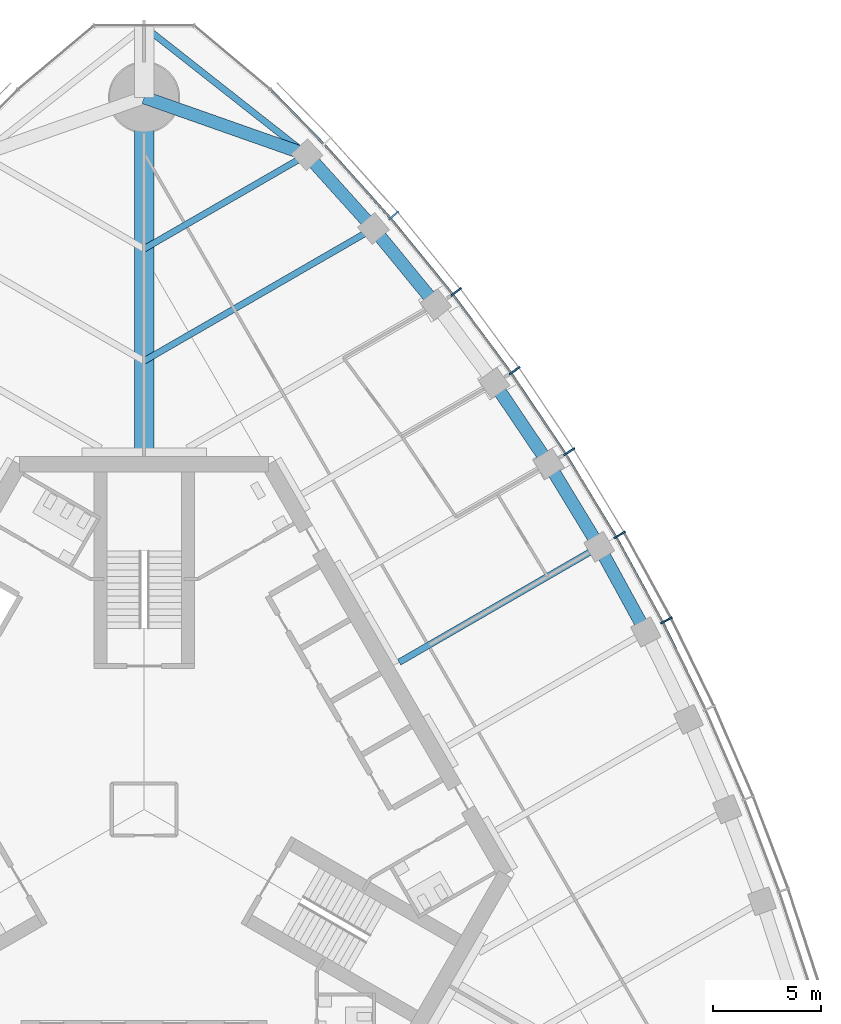
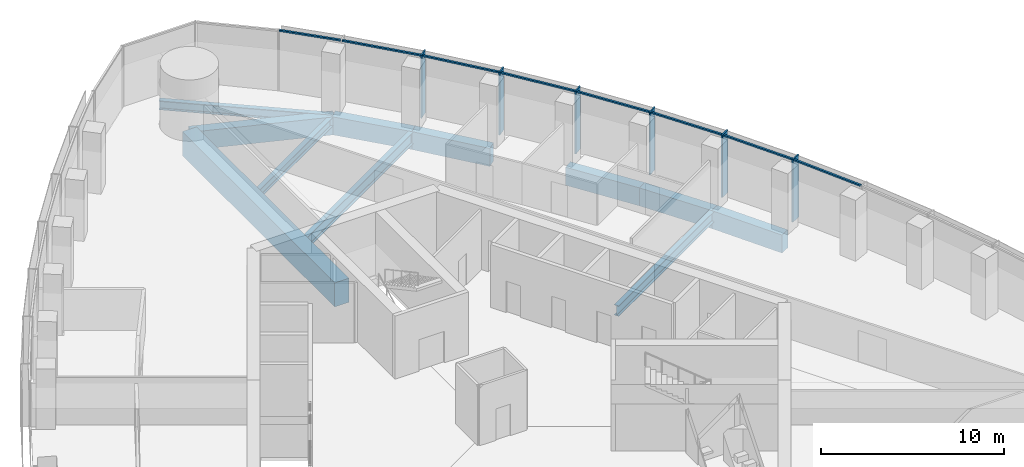
# One storey, part 7 of 19: 14 members, 11 beams, 1 element without a shape of its own.
"""IFC4 building model written with IfcOpenShell, lengths in metres."""

from ifc_helpers import new_model, si_unit, direction, frame, origin, origin_2d, place, context, subcontext, project, spatial, rectangle, i_section, extrude, material, material_profile, profile_set, type_object, element, aggregate, save


model = new_model("IFC4")

# Units and contexts
model_context = context("Model", 3, precision=1e-05, world=origin(), true_north=direction((0.0, 1.0)))
body_context = subcontext(model_context, "Body", "Model", "MODEL_VIEW")
ifc_project = project(units=[si_unit("LENGTHUNIT", "METRE"), si_unit("AREAUNIT", "SQUARE_METRE"), si_unit("VOLUMEUNIT", "CUBIC_METRE"), si_unit("PLANEANGLEUNIT", "RADIAN"), si_unit("MASSUNIT", "GRAM", prefix="KILO")], contexts=[model_context])

# Site, building, storey
site_placement = place(None, origin())
site = spatial("IfcSite", under=ifc_project, at=site_placement, CompositionType="ELEMENT")
building_placement = place(site_placement, origin())
building = spatial("IfcBuilding", under=site, at=building_placement, Name="Trefoil Bronze Tower", CompositionType="ELEMENT")
storey_placement = place(building_placement, frame((0.0, 0.0, 227.5)))
storey = spatial("IfcBuildingStorey", under=building, at=storey_placement, Name="L52", CompositionType="ELEMENT", Elevation=227.5)

# Curtain wall, members
ifc_material_1 = material(Name="Tinted solar-control glass", Category="glass")
curtain_wall_type = type_object("IfcCurtainWallType", Name="Bronze office curtain wall", PredefinedType="USERDEFINED", material=ifc_material_1)
curtain_wall_placement = place(storey_placement, origin())
curtain_wall = element("IfcCurtainWall", 1, at=curtain_wall_placement, inside=storey, type_object=curtain_wall_type, Name="CW-A L52 F2", ObjectType="CURTAIN WALL", PredefinedType="USERDEFINED")
ifc_material_2 = material(Name="Bronze-finish aluminium", Category="aluminium")
ifc_material_profile_1 = material_profile(ifc_material_2, rectangle(XDim=0.60009765625, YDim=0.080078125, at=origin_2d()), Name="CW-A mullion")
ifc_profile_set_1 = profile_set([ifc_material_profile_1], Name="Bronze-finish aluminium")
member_type_1 = type_object("IfcMemberType", Name="Bronze office curtain wall mullion", PredefinedType="MULLION", material=ifc_profile_set_1)
member_1_placement = place(storey_placement, frame((24.2080078125, 8.764404296875, 0.0), z_axis=(0.0, 0.0, 1.0), x_axis=(-0.888088206965, -0.459673075837, 0.0)))
member_1 = element("IfcMember", 2, at=member_1_placement, type_object=member_type_1, Name="CW-A L52 F2 mullion 6", PredefinedType="MULLION", context=body_context, shape_type="SweptSolid", body=[
    extrude(rectangle(XDim=0.60009765625, YDim=0.080078125, at=origin_2d()), origin(), (0.0, 0.0, 1.0), 4.179931640625),
])
member_2_placement = place(storey_placement, frame((22.041015625, 12.725341796875, 0.0), z_axis=(0.0, 0.0, 1.0), x_axis=(-0.866025403784, -0.5, 0.0)))
member_2 = element("IfcMember", 3, at=member_2_placement, type_object=member_type_1, Name="CW-A L52 F2 mullion 7", PredefinedType="MULLION", context=body_context, shape_type="SweptSolid", body=[
    extrude(rectangle(XDim=0.60009765625, YDim=0.080078125, at=origin_2d()), origin(), (0.0, 0.0, 1.0), 4.179931640625),
])
member_3_placement = place(storey_placement, frame((19.694091796875, 16.58251953125, 0.0), z_axis=(0.0, 0.0, 1.0), x_axis=(-0.842132664593, -0.539270410114, 0.0)))
member_3 = element("IfcMember", 4, at=member_3_placement, type_object=member_type_1, Name="CW-A L52 F2 mullion 8", PredefinedType="MULLION", context=body_context, shape_type="SweptSolid", body=[
    extrude(rectangle(XDim=0.60009765625, YDim=0.080078125, at=origin_2d()), origin(), (0.0, 0.0, 1.0), 4.179931640625),
])
member_4_placement = place(storey_placement, frame((17.167236328125, 20.335693359375, 0.0), z_axis=(0.0, 0.0, 1.0), x_axis=(-0.81640398396, -0.577481198806, 0.0)))
member_4 = element("IfcMember", 5, at=member_4_placement, type_object=member_type_1, Name="CW-A L52 F2 mullion 9", PredefinedType="MULLION", context=body_context, shape_type="SweptSolid", body=[
    extrude(rectangle(XDim=0.60009765625, YDim=0.080078125, at=origin_2d()), origin(), (0.0, 0.0, 1.0), 4.179931640625),
])
member_5_placement = place(storey_placement, frame((14.45849609375, 23.98388671875, 0.0), z_axis=(0.0, 0.0, 1.0), x_axis=(-0.788821461078, -0.614622406476, 0.0)))
member_5 = element("IfcMember", 6, at=member_5_placement, type_object=member_type_1, Name="CW-A L52 F2 mullion 10", PredefinedType="MULLION", context=body_context, shape_type="SweptSolid", body=[
    extrude(rectangle(XDim=0.60009765625, YDim=0.080078125, at=origin_2d()), origin(), (0.0, 0.0, 1.0), 4.179931640625),
])
member_6_placement = place(storey_placement, frame((11.564697265625, 27.525146484375, 0.0), z_axis=(0.0, 0.0, 1.0), x_axis=(-0.75935470958, -0.650676897576, 0.0)))
member_6 = element("IfcMember", 7, at=member_6_placement, type_object=member_type_1, Name="CW-A L52 F2 mullion 11", PredefinedType="MULLION", context=body_context, shape_type="SweptSolid", body=[
    extrude(rectangle(XDim=0.60009765625, YDim=0.080078125, at=origin_2d()), origin(), (0.0, 0.0, 1.0), 4.179931640625),
])
ifc_material_3 = material(Name="Bronze-finish aluminium", Category="aluminium")
ifc_material_profile_2 = material_profile(ifc_material_3, rectangle(XDim=0.1201171875, YDim=0.10009765625, at=origin_2d()), Name="CW-A transom")
ifc_profile_set_2 = profile_set([ifc_material_profile_2], Name="Bronze-finish aluminium")
member_type_2 = type_object("IfcMemberType", Name="Bronze office curtain wall transom", PredefinedType="USERDEFINED", material=ifc_profile_set_2)
member_7_placement = place(storey_placement, frame((25.99462890625, 4.65380859375, 4.1298828125), z_axis=(-0.439150835991, 0.898413347657, 0.0), x_axis=(-0.898413347657, -0.439150835991, 0.0)))
member_7 = element("IfcMember", 8, at=member_7_placement, type_object=member_type_2, Name="CW-A L52 F2 transom 5", ObjectType="TRANSOM", PredefinedType="USERDEFINED", context=body_context, shape_type="SweptSolid", body=[
    extrude(rectangle(XDim=0.1201171875, YDim=0.10009765625, at=origin_2d()), origin(), (0.0, 0.0, 1.0), 4.430908203125),
])
member_8_placement = place(storey_placement, frame((24.010009765625, 8.70947265625, 4.1298828125), z_axis=(-0.479973729071, 0.877282861683, 0.0), x_axis=(-0.877282861683, -0.479973729071, 0.0)))
member_8 = element("IfcMember", 9, at=member_8_placement, type_object=member_type_2, Name="CW-A L52 F2 transom 6", ObjectType="TRANSOM", PredefinedType="USERDEFINED", context=body_context, shape_type="SweptSolid", body=[
    extrude(rectangle(XDim=0.1201171875, YDim=0.10009765625, at=origin_2d()), origin(), (0.0, 0.0, 1.0), 4.421142578125),
])
member_9_placement = place(storey_placement, frame((21.845703125, 12.661376953125, 4.1298828125), z_axis=(-0.519740214649, 0.854324358354, 0.0), x_axis=(-0.854324358354, -0.519740214649, 0.0)))
member_9 = element("IfcMember", 10, at=member_9_placement, type_object=member_type_2, Name="CW-A L52 F2 transom 7", ObjectType="TRANSOM", PredefinedType="USERDEFINED", context=body_context, shape_type="SweptSolid", body=[
    extrude(rectangle(XDim=0.1201171875, YDim=0.10009765625, at=origin_2d()), origin(), (0.0, 0.0, 1.0), 4.421142578125),
])
member_10_placement = place(storey_placement, frame((19.502197265625, 16.509765625, 4.1298828125), z_axis=(-0.558509087547, 0.829498402125, 0.0), x_axis=(-0.829498402125, -0.558509087547, 0.0)))
member_10 = element("IfcMember", 11, at=member_10_placement, type_object=member_type_2, Name="CW-A L52 F2 transom 8", ObjectType="TRANSOM", PredefinedType="USERDEFINED", context=body_context, shape_type="SweptSolid", body=[
    extrude(rectangle(XDim=0.1201171875, YDim=0.10009765625, at=origin_2d()), origin(), (0.0, 0.0, 1.0), 4.4306640625),
])
member_11_placement = place(storey_placement, frame((16.978759765625, 20.254150390625, 4.1298828125), z_axis=(-0.59614822717, 0.802874393191, 0.0), x_axis=(-0.802874393191, -0.59614822717, 0.0)))
member_11 = element("IfcMember", 12, at=member_11_placement, type_object=member_type_2, Name="CW-A L52 F2 transom 9", ObjectType="TRANSOM", PredefinedType="USERDEFINED", context=body_context, shape_type="SweptSolid", body=[
    extrude(rectangle(XDim=0.1201171875, YDim=0.10009765625, at=origin_2d()), origin(), (0.0, 0.0, 1.0), 4.449951171875),
])
member_12_placement = place(storey_placement, frame((14.27392578125, 23.8935546875, 4.1298828125), z_axis=(-0.632756871921, 0.774350528531, 0.0), x_axis=(-0.774350528531, -0.632756871921, 0.0)))
member_12 = element("IfcMember", 13, at=member_12_placement, type_object=member_type_2, Name="CW-A L52 F2 transom 10", ObjectType="TRANSOM", PredefinedType="USERDEFINED", context=body_context, shape_type="SweptSolid", body=[
    extrude(rectangle(XDim=0.1201171875, YDim=0.10009765625, at=origin_2d()), origin(), (0.0, 0.0, 1.0), 4.4794921875),
])
member_13_placement = place(storey_placement, frame((11.384521484375, 27.426513671875, 4.1298828125), z_axis=(-0.66825109551, 0.743935799213, 0.0), x_axis=(-0.743935799213, -0.66825109551, 0.0)))
member_13 = element("IfcMember", 14, at=member_13_placement, type_object=member_type_2, Name="CW-A L52 F2 transom 11", ObjectType="TRANSOM", PredefinedType="USERDEFINED", context=body_context, shape_type="SweptSolid", body=[
    extrude(rectangle(XDim=0.1201171875, YDim=0.10009765625, at=origin_2d()), origin(), (0.0, 0.0, 1.0), 4.519287109375),
])
member_14_placement = place(storey_placement, frame((8.306884765625, 30.85009765625, 4.1298828125), z_axis=(-0.698646935368, 0.715466602785, 0.0), x_axis=(-0.715466602785, -0.698646935368, 0.0)))
member_14 = element("IfcMember", 15, at=member_14_placement, type_object=member_type_2, Name="CW-A L52 F2 transom 12", ObjectType="TRANSOM", PredefinedType="USERDEFINED", context=body_context, shape_type="SweptSolid", body=[
    extrude(rectangle(XDim=0.1201171875, YDim=0.10009765625, at=origin_2d()), origin(), (0.0, 0.0, 1.0), 3.483642578125),
])
aggregate(curtain_wall, [member_1, member_2, member_3, member_4, member_5, member_6, member_7, member_8, member_9, member_10, member_11, member_12, member_13, member_14])

# Beams
ifc_material_4 = material(Name="Steel C355", Category="steel")
ifc_material_profile_3 = material_profile(ifc_material_4, i_section(OverallWidth=0.300048828125, OverallDepth=0.60009765625, WebThickness=0.015380859375, FlangeThickness=0.030029296875, FilletRadius=0.027099609375, at=origin_2d()), Name="HEB 600")
ifc_profile_set_3 = profile_set([ifc_material_profile_3], Name="Steel C355")
beam_type_1 = type_object("IfcBeamType", Name="Corner edge beam HEB 600", PredefinedType="BEAM", material=ifc_profile_set_3)
beam_1_placement = place(storey_placement, frame((7.552001953125, 30.3408203125, -0.5), z_axis=(-0.785805912008, 0.618473175371, 0.0), x_axis=(-0.618473175371, -0.785805912008, 0.0)))
element("IfcBeam", 16, at=beam_1_placement, inside=storey, type_object=beam_type_1, Name="Corner edge beam F2A L52", PredefinedType="BEAM", context=body_context, shape_type="SweptSolid", body=[
    extrude(i_section(OverallWidth=0.300048828125, OverallDepth=0.60009765625, WebThickness=0.015380859375, FlangeThickness=0.030029296875, FilletRadius=0.027099609375, at=origin_2d()), origin(), (0.0, 0.0, 1.0), 9.610595703125),
])
ifc_material_5 = material(Name="Concrete B80", Category="concrete")
ifc_material_profile_4 = material_profile(ifc_material_5, rectangle(XDim=0.89990234375, YDim=1.60009765625, at=origin_2d()), Name="RC 900x1600")
ifc_profile_set_4 = profile_set([ifc_material_profile_4], Name="Concrete B80")
beam_type_2 = type_object("IfcBeamType", Name="Corner girder RC 900x1600", PredefinedType="BEAM", material=ifc_profile_set_4)
beam_2_placement = place(storey_placement, frame((0.0, 16.35009765625, -1.0), z_axis=(0.0, 1.0, 0.0), x_axis=(-1.0, 0.0, 0.0)))
element("IfcBeam", 17, at=beam_2_placement, inside=storey, type_object=beam_type_2, Name="Corner girder K2 L52", PredefinedType="BEAM", context=body_context, shape_type="SweptSolid", body=[
    extrude(rectangle(XDim=0.89990234375, YDim=1.60009765625, at=origin_2d()), origin(), (0.0, 0.0, 1.0), 16.64990234375),
])
ifc_material_6 = material(Name="Concrete B80", Category="concrete")
ifc_material_profile_5 = material_profile(ifc_material_6, rectangle(XDim=0.60009765625, YDim=1.199951171875, at=origin_2d()), Name="RC 600x1200")
ifc_profile_set_5 = profile_set([ifc_material_profile_5], Name="Concrete B80")
beam_type_3 = type_object("IfcBeamType", Name="End spandrel beam RC 600x1200", PredefinedType="SPANDREL", material=ifc_profile_set_5)
beam_3_placement = place(storey_placement, frame((7.552001953125, 30.3408203125, -0.800048828125), z_axis=(-0.943234397359, 0.332127794137, 0.0), x_axis=(-0.332127794137, -0.943234397359, 0.0)))
element("IfcBeam", 18, at=beam_3_placement, inside=storey, type_object=beam_type_3, Name="Spandrel F2.12 L52", PredefinedType="SPANDREL", context=body_context, shape_type="SweptSolid", body=[
    extrude(rectangle(XDim=0.60009765625, YDim=1.199951171875, at=origin_2d()), origin(), (0.0, 0.0, 1.0), 8.006591796875),
])
ifc_material_7 = material(Name="Steel C355", Category="steel")
ifc_material_profile_6 = material_profile(ifc_material_7, i_section(OverallWidth=0.300048828125, OverallDepth=0.590087890625, WebThickness=0.012939453125, FlangeThickness=0.02490234375, FilletRadius=0.027099609375, at=origin_2d()), Name="HEA 600")
ifc_profile_set_6 = profile_set([ifc_material_profile_6], Name="Steel C355")
beam_type_4 = type_object("IfcBeamType", Name="Floor beam HEA 600", PredefinedType="BEAM", material=ifc_profile_set_6)
beam_4_placement = place(storey_placement, frame((7.552001953125, 30.3408203125, -0.4951171875), z_axis=(-0.866027535932, -0.499996306993, 0.0), x_axis=(0.499996306993, -0.866027535932, 0.0)))
element("IfcBeam", 19, at=beam_4_placement, inside=storey, type_object=beam_type_4, Name="Floor beam F2/+5 L52", PredefinedType="BEAM", context=body_context, shape_type="SweptSolid", body=[
    extrude(i_section(OverallWidth=0.300048828125, OverallDepth=0.590087890625, WebThickness=0.012939453125, FlangeThickness=0.02490234375, FilletRadius=0.027099609375, at=origin_2d()), origin(), (0.0, 0.0, 1.0), 8.72021484375),
])
ifc_material_8 = material(Name="Steel C355", Category="steel")
ifc_material_profile_7 = material_profile(ifc_material_8, i_section(OverallWidth=0.300048828125, OverallDepth=0.699951171875, WebThickness=0.01708984375, FlangeThickness=0.031982421875, FilletRadius=0.027099609375, at=origin_2d()), Name="HEB 700")
ifc_profile_set_7 = profile_set([ifc_material_profile_7], Name="Steel C355")
beam_type_5 = type_object("IfcBeamType", Name="Floor beam HEB 700", PredefinedType="BEAM", material=ifc_profile_set_7)
beam_5_placement = place(storey_placement, frame((21.08837890625, 12.17529296875, -0.550048828125), z_axis=(-0.86602601154, -0.499998947334, 0.0), x_axis=(0.499998947334, -0.86602601154, 0.0)))
element("IfcBeam", 20, at=beam_5_placement, inside=storey, type_object=beam_type_5, Name="Floor beam F2/+0 L52", PredefinedType="BEAM", context=body_context, shape_type="SweptSolid", body=[
    extrude(i_section(OverallWidth=0.300048828125, OverallDepth=0.699951171875, WebThickness=0.01708984375, FlangeThickness=0.031982421875, FilletRadius=0.027099609375, at=origin_2d()), origin(), (0.0, 0.0, 1.0), 10.70068359375),
])
ifc_material_9 = material(Name="Steel C355", Category="steel")
ifc_material_profile_8 = material_profile(ifc_material_9, i_section(OverallWidth=0.300048828125, OverallDepth=0.800048828125, WebThickness=0.017578125, FlangeThickness=0.032958984375, FilletRadius=0.030029296875, at=origin_2d()), Name="HEB 800")
ifc_profile_set_8 = profile_set([ifc_material_profile_8], Name="Steel C355")
beam_type_6 = type_object("IfcBeamType", Name="Floor beam HEB 800", PredefinedType="BEAM", material=ifc_profile_set_8)
beam_6_placement = place(storey_placement, frame((10.632080078125, 26.923095703125, -0.60009765625), z_axis=(-0.866025635187, -0.499999599199, 0.0), x_axis=(0.499999599199, -0.866025635187, 0.0)))
element("IfcBeam", 21, at=beam_6_placement, inside=storey, type_object=beam_type_6, Name="Floor beam F2/+4 L52", PredefinedType="BEAM", context=body_context, shape_type="SweptSolid", body=[
    extrude(i_section(OverallWidth=0.300048828125, OverallDepth=0.800048828125, WebThickness=0.017578125, FlangeThickness=0.032958984375, FilletRadius=0.030029296875, at=origin_2d()), origin(), (0.0, 0.0, 1.0), 12.27685546875),
])
ifc_material_10 = material(Name="Concrete B80", Category="concrete")
ifc_material_profile_9 = material_profile(ifc_material_10, rectangle(XDim=0.60009765625, YDim=1.199951171875, at=origin_2d()), Name="RC 600x1200")
ifc_profile_set_9 = profile_set([ifc_material_profile_9], Name="Concrete B80")
beam_type_7 = type_object("IfcBeamType", Name="Spandrel beam RC 600x1200", PredefinedType="SPANDREL", material=ifc_profile_set_9)
for number, where, z_axis, x_axis, name in (
    (22, (23.248046875, 8.22607421875, -0.800048828125), (-0.479801903802, 0.87737684783, 0.0), (-0.87737684783, -0.479801903802, 0.0), "Spandrel F2.6 L52"),
    (23, (21.08837890625, 12.17529296875, -0.800048828125), (-0.519933181394, 0.854206934464, 0.0), (-0.854206934464, -0.519933181394, 0.0), "Spandrel F2.7 L52"),
):
    element("IfcBeam", number, at=place(storey_placement, frame(where, z_axis=z_axis, x_axis=x_axis)), inside=storey, type_object=beam_type_7, Name=name, PredefinedType="SPANDREL", context=body_context, shape_type="SweptSolid", body=[
        extrude(rectangle(XDim=0.60009765625, YDim=1.199951171875, at=origin_2d()), origin(), (0.0, 0.0, 1.0), 4.501220703125),
    ])
beam_7_placement = place(storey_placement, frame((18.748046875, 16.020263671875, -0.800048828125), z_axis=(-0.558964302753, 0.829191719838, 0.0), x_axis=(-0.829191719838, -0.558964302753, 0.0)))
element("IfcBeam", 24, at=beam_7_placement, inside=storey, type_object=beam_type_7, Name="Spandrel F2.8 L52", PredefinedType="SPANDREL", context=body_context, shape_type="SweptSolid", body=[
    extrude(rectangle(XDim=0.60009765625, YDim=1.199951171875, at=origin_2d()), origin(), (0.0, 0.0, 1.0), 4.510986328125),
])
beam_8_placement = place(storey_placement, frame((13.522216796875, 23.3955078125, -0.800048828125), z_axis=(-0.633753657863, 0.773534938542, 0.0), x_axis=(-0.773534938542, -0.633753657863, 0.0)))
element("IfcBeam", 25, at=beam_8_placement, inside=storey, type_object=beam_type_7, Name="Spandrel F2.10 L52", PredefinedType="SPANDREL", context=body_context, shape_type="SweptSolid", body=[
    extrude(rectangle(XDim=0.60009765625, YDim=1.199951171875, at=origin_2d()), origin(), (0.0, 0.0, 1.0), 4.560302734375),
])
beam_9_placement = place(storey_placement, frame((10.632080078125, 26.923095703125, -0.800048828125), z_axis=(-0.669460045872, 0.742848064534, 0.0), x_axis=(-0.742848064534, -0.669460045872, 0.0)))
element("IfcBeam", 26, at=beam_9_placement, inside=storey, type_object=beam_type_7, Name="Spandrel F2.11 L52", PredefinedType="SPANDREL", context=body_context, shape_type="SweptSolid", body=[
    extrude(rectangle(XDim=0.60009765625, YDim=1.199951171875, at=origin_2d()), origin(), (0.0, 0.0, 1.0), 4.600830078125),
])

save(model, "model.ifc")
